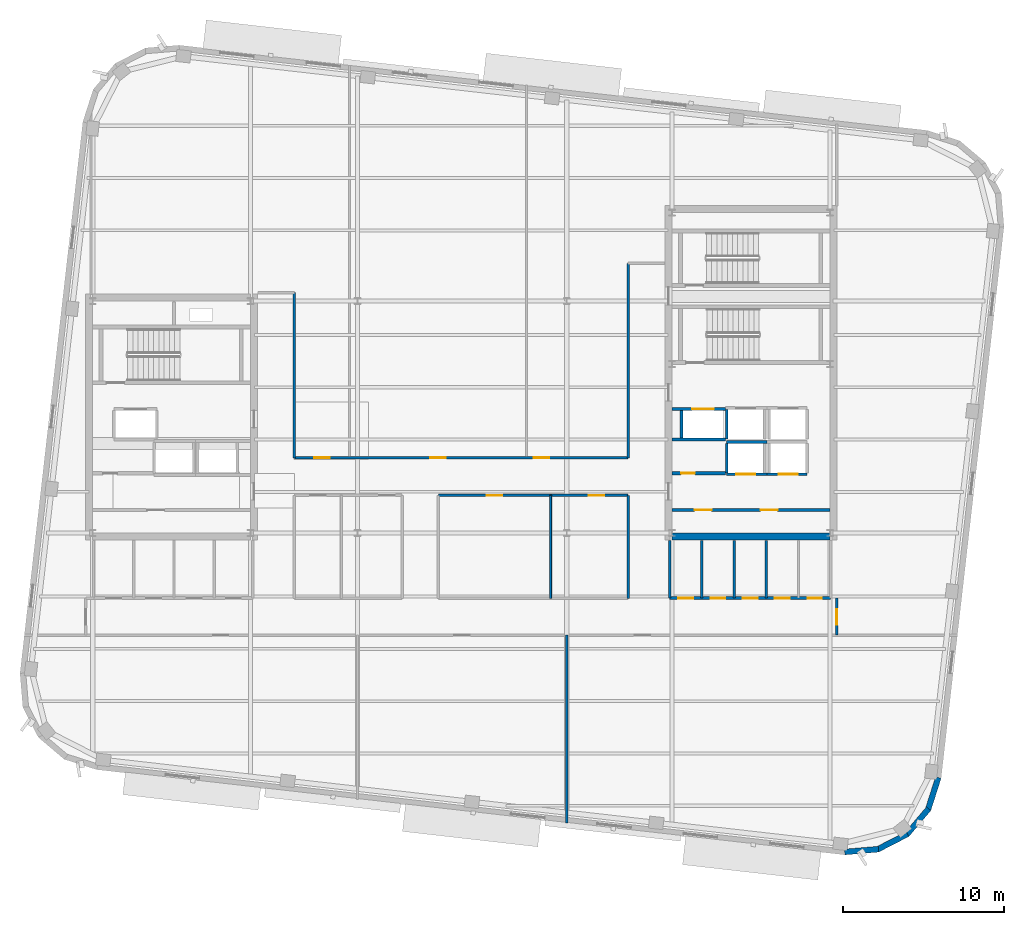
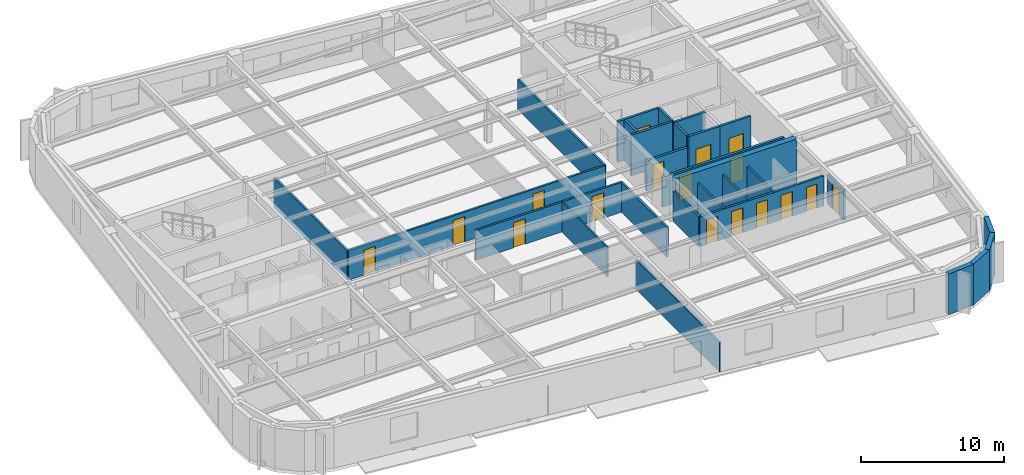
# One storey, part 7 of 14: 28 walls, 17 doors, 17 openings.
"""IFC4 building model written with IfcOpenShell, lengths in metres."""

from ifc_helpers import new_model, si_unit, direction, frame, frame_2d, origin, place, context, subcontext, project, spatial, rectangle, extrude, material, layer, layer_set, type_object, element, fill, save


model = new_model("IFC4")

# Units and contexts
model_context = context("Model", 3, precision=1e-05, world=origin(), true_north=direction((0.0, 1.0)))
body_context = subcontext(model_context, "Body", "Model", "MODEL_VIEW")
ifc_project = project(units=[si_unit("LENGTHUNIT", "METRE"), si_unit("AREAUNIT", "SQUARE_METRE"), si_unit("VOLUMEUNIT", "CUBIC_METRE"), si_unit("PLANEANGLEUNIT", "RADIAN"), si_unit("MASSUNIT", "GRAM", prefix="KILO")], contexts=[model_context])

# Site, building, storey
site_placement = place(None, origin())
site = spatial("IfcSite", under=ifc_project, at=site_placement, CompositionType="ELEMENT")
building_placement = place(site_placement, origin())
building = spatial("IfcBuilding", under=site, at=building_placement, Name="Kolvaren Arena Tower", CompositionType="ELEMENT")
storey_placement = place(building_placement, frame((0.0, 0.0, 258.449951171875)))
storey = spatial("IfcBuildingStorey", under=building, at=storey_placement, Name="L63", CompositionType="ELEMENT", Elevation=258.449951171875)

# Wall, openings, doors
ifc_material_1 = material(Name="Gypsum board acoustic assembly", Category="gypsum")
ifc_layer_1 = layer(ifc_material_1, 0.159912109375)
ifc_layer_set_1 = layer_set([ifc_layer_1], Name="Gypsum board acoustic assembly")
wall_type_1 = type_object("IfcWallType", Name="CORR-160", PredefinedType="PARTITIONING", material=ifc_layer_set_1)
wall_1_placement = place(storey_placement, frame((27.080078125, 24.1201171875, 0.0), z_axis=(0.0, 0.0, 1.0), x_axis=(1.0, 0.0, 0.0)))
wall_1 = element("IfcWall", 1, at=wall_1_placement, inside=storey, type_object=wall_type_1, Name="Interior Partition Wall (L63)", PredefinedType="PARTITIONING", context=body_context, shape_type="SweptSolid", body=[
    extrude(rectangle(XDim=20.739990234375, YDim=0.159912109375, at=frame_2d((10.3701171875, 0.0))), origin(), (0.0, 0.0, 1.0), 2.5400390625),
])
opening_1_placement = place(wall_1_placement, frame((1.2451171875, 0.0, 0.0)))
opening_1 = element("IfcOpeningElement", 2, at=opening_1_placement, cuts=wall_1, Name="Opening D05", PredefinedType="OPENING", context=body_context, shape_type="SweptSolid", body=[
    extrude(rectangle(XDim=0.949951171875, YDim=2.14990234375, at=frame_2d((0.47509765625, 1.074951171875))), frame((0.0, 0.08984375, 0.0), z_axis=(0.0, -1.0, 0.0), x_axis=(1.0, 0.0, 0.0)), (0.0, 0.0, 1.0), 0.179931640625),
])
opening_2_placement = place(wall_1_placement, frame((8.445068359375, 0.0, 0.0)))
opening_2 = element("IfcOpeningElement", 3, at=opening_2_placement, cuts=wall_1, Name="Opening D05", PredefinedType="OPENING", context=body_context, shape_type="SweptSolid", body=[
    extrude(rectangle(XDim=0.949951171875, YDim=2.14990234375, at=frame_2d((0.47509765625, 1.074951171875))), frame((0.0, 0.08984375, 0.0), z_axis=(0.0, -1.0, 0.0), x_axis=(1.0, 0.0, 0.0)), (0.0, 0.0, 1.0), 0.179931640625),
])
opening_3_placement = place(wall_1_placement, frame((14.8701171875, 0.0, 0.0)))
opening_3 = element("IfcOpeningElement", 4, at=opening_3_placement, cuts=wall_1, Name="Opening D05", PredefinedType="OPENING", context=body_context, shape_type="SweptSolid", body=[
    extrude(rectangle(XDim=0.949951171875, YDim=2.14990234375, at=frame_2d((0.47509765625, 1.074951171875))), frame((0.0, 0.08984375, 0.0), z_axis=(0.0, -1.0, 0.0), x_axis=(1.0, 0.0, 0.0)), (0.0, 0.0, 1.0), 0.179931640625),
])
ifc_material_2 = material(Name="Solid-core oak acoustic office door", Category="wood")
door_type_1 = type_object("IfcDoorType", Name="DOOR-OF-095", OperationType="NOTDEFINED", PredefinedType="DOOR", material=ifc_material_2)
door_1_placement = place(opening_1_placement, origin())
door_1 = element("IfcDoor", 5, at=door_1_placement, inside=storey, type_object=door_type_1, Name="Corporate Project Office Door (L63)", OperationType="SINGLE_SWING_RIGHT", OverallHeight=2.14990234375, OverallWidth=0.949951171875, PredefinedType="DOOR", context=body_context, shape_type="SweptSolid", body=[
    extrude(rectangle(XDim=0.949951171875, YDim=2.14990234375, at=frame_2d((0.47509765625, 1.074951171875))), frame((0.0, 0.02490234375, 0.0), z_axis=(0.0, -1.0, 0.0), x_axis=(1.0, 0.0, 0.0)), (0.0, 0.0, 1.0), 0.050048828125),
])
fill(opening_1, door_1)
door_2_placement = place(opening_2_placement, origin())
door_2 = element("IfcDoor", 6, at=door_2_placement, inside=storey, type_object=door_type_1, Name="Breakout Pantry and Kitchen Door (L63)", OperationType="SINGLE_SWING_LEFT", OverallHeight=2.14990234375, OverallWidth=0.949951171875, PredefinedType="DOOR", context=body_context, shape_type="SweptSolid", body=[
    extrude(rectangle(XDim=0.949951171875, YDim=2.14990234375, at=frame_2d((0.47509765625, 1.074951171875))), frame((0.0, 0.02490234375, 0.0), z_axis=(0.0, -1.0, 0.0), x_axis=(1.0, 0.0, 0.0)), (0.0, 0.0, 1.0), 0.050048828125),
])
fill(opening_2, door_2)
door_3_placement = place(opening_3_placement, origin())
door_3 = element("IfcDoor", 7, at=door_3_placement, inside=storey, type_object=door_type_1, Name="Design Studio Door (L63)", OperationType="SINGLE_SWING_RIGHT", OverallHeight=2.14990234375, OverallWidth=0.949951171875, PredefinedType="DOOR", context=body_context, shape_type="SweptSolid", body=[
    extrude(rectangle(XDim=0.949951171875, YDim=2.14990234375, at=frame_2d((0.47509765625, 1.074951171875))), frame((0.0, 0.02490234375, 0.0), z_axis=(0.0, -1.0, 0.0), x_axis=(1.0, 0.0, 0.0)), (0.0, 0.0, 1.0), 0.050048828125),
])
fill(opening_3, door_3)

# Wall
wall_2_placement = place(storey_placement, frame((27.080078125, 24.1201171875, 0.0), z_axis=(0.0, 0.0, 1.0), x_axis=(0.0, 1.0, 0.0)))
element("IfcWall", 8, at=wall_2_placement, inside=storey, type_object=wall_type_1, Name="Interior Partition Wall (L63)", PredefinedType="PARTITIONING", context=body_context, shape_type="SweptSolid", body=[
    extrude(rectangle(XDim=10.259765625, YDim=0.159912109375, at=frame_2d((5.1298828125, 0.0))), origin(), (0.0, 0.0, 1.0), 2.5400390625),
])

# Wall, openings, doors
wall_3_placement = place(storey_placement, frame((36.0400390625, 21.780029296875, 0.0), z_axis=(0.0, 0.0, 1.0), x_axis=(1.0, 0.0, 0.0)))
wall_3 = element("IfcWall", 9, at=wall_3_placement, inside=storey, type_object=wall_type_1, Name="Interior Partition Wall (L63)", PredefinedType="PARTITIONING", context=body_context, shape_type="SweptSolid", body=[
    extrude(rectangle(XDim=11.760009765625, YDim=0.159912109375, at=frame_2d((5.8798828125, 0.0))), origin(), (0.0, 0.0, 1.0), 2.5400390625),
])
opening_4_placement = place(wall_3_placement, frame((3.0048828125, 0.0, 0.0)))
opening_4 = element("IfcOpeningElement", 10, at=opening_4_placement, cuts=wall_3, Name="Opening D05", PredefinedType="OPENING", context=body_context, shape_type="SweptSolid", body=[
    extrude(rectangle(XDim=0.949951171875, YDim=2.14990234375, at=frame_2d((0.47509765625, 1.074951171875))), frame((0.0, 0.08984375, 0.0), z_axis=(0.0, -1.0, 0.0), x_axis=(1.0, 0.0, 0.0)), (0.0, 0.0, 1.0), 0.179931640625),
])
opening_5_placement = place(wall_3_placement, frame((9.3349609375, 0.0, 0.0)))
opening_5 = element("IfcOpeningElement", 11, at=opening_5_placement, cuts=wall_3, Name="Opening D05", PredefinedType="OPENING", context=body_context, shape_type="SweptSolid", body=[
    extrude(rectangle(XDim=0.949951171875, YDim=2.14990234375, at=frame_2d((0.47509765625, 1.074951171875))), frame((0.0, 0.08984375, 0.0), z_axis=(0.0, -1.0, 0.0), x_axis=(1.0, 0.0, 0.0)), (0.0, 0.0, 1.0), 0.179931640625),
])
door_4_placement = place(opening_4_placement, origin())
door_4 = element("IfcDoor", 12, at=door_4_placement, inside=storey, type_object=door_type_1, Name="Meeting Room Door (L63)", OperationType="SINGLE_SWING_LEFT", OverallHeight=2.14990234375, OverallWidth=0.949951171875, PredefinedType="DOOR", context=body_context, shape_type="SweptSolid", body=[
    extrude(rectangle(XDim=0.949951171875, YDim=2.14990234375, at=frame_2d((0.47509765625, 1.074951171875))), frame((0.0, 0.02490234375, 0.0), z_axis=(0.0, -1.0, 0.0), x_axis=(1.0, 0.0, 0.0)), (0.0, 0.0, 1.0), 0.050048828125),
])
fill(opening_4, door_4)
door_5_placement = place(opening_5_placement, origin())
door_5 = element("IfcDoor", 13, at=door_5_placement, inside=storey, type_object=door_type_1, Name="Boardroom Door (L63)", OperationType="SINGLE_SWING_RIGHT", OverallHeight=2.14990234375, OverallWidth=0.949951171875, PredefinedType="DOOR", context=body_context, shape_type="SweptSolid", body=[
    extrude(rectangle(XDim=0.949951171875, YDim=2.14990234375, at=frame_2d((0.47509765625, 1.074951171875))), frame((0.0, 0.02490234375, 0.0), z_axis=(0.0, -1.0, 0.0), x_axis=(1.0, 0.0, 0.0)), (0.0, 0.0, 1.0), 0.050048828125),
])
fill(opening_5, door_5)

# Walls
wall_4_placement = place(storey_placement, frame((47.820068359375, 15.3798828125, 0.0), z_axis=(0.0, 0.0, 1.0), x_axis=(0.0, 1.0, 0.0)))
element("IfcWall", 14, at=wall_4_placement, inside=storey, type_object=wall_type_1, Name="Interior Partition Wall (L63)", PredefinedType="PARTITIONING", context=body_context, shape_type="SweptSolid", body=[
    extrude(rectangle(XDim=6.400146484375, YDim=0.159912109375, at=frame_2d((3.2001953125, 0.0))), origin(), (0.0, 0.0, 1.0), 2.5400390625),
])
wall_5_placement = place(storey_placement, frame((47.820068359375, 24.1201171875, 0.0), z_axis=(0.0, 0.0, 1.0), x_axis=(0.0, 1.0, 0.0)))
element("IfcWall", 15, at=wall_5_placement, inside=storey, type_object=wall_type_1, Name="Interior Partition Wall (L63)", PredefinedType="PARTITIONING", context=body_context, shape_type="SweptSolid", body=[
    extrude(rectangle(XDim=12.079833984375, YDim=0.159912109375, at=frame_2d((6.0400390625, 0.0))), origin(), (0.0, 0.0, 1.0), 2.5400390625),
])

# Wall, opening, door
wall_6_placement = place(storey_placement, frame((60.780029296875, 13.10009765625, 0.0), z_axis=(0.0, 0.0, 1.0), x_axis=(0.0, 1.0, 0.0)))
wall_6 = element("IfcWall", 16, at=wall_6_placement, inside=storey, type_object=wall_type_1, Name="Interior Partition Wall (L63)", PredefinedType="PARTITIONING", context=body_context, shape_type="SweptSolid", body=[
    extrude(rectangle(XDim=2.2998046875, YDim=0.159912109375, at=frame_2d((1.14990234375, 0.0))), origin(), (0.0, 0.0, 1.0), 2.5400390625),
])
opening_6_placement = place(wall_6_placement, frame((0.64990234375, 0.0, 0.0)))
opening_6 = element("IfcOpeningElement", 17, at=opening_6_placement, cuts=wall_6, Name="Opening D05", PredefinedType="OPENING", context=body_context, shape_type="SweptSolid", body=[
    extrude(rectangle(XDim=0.949951171875, YDim=2.14990234375, at=frame_2d((0.47509765625, 1.074951171875))), frame((0.0, 0.08984375, 0.0), z_axis=(0.0, -1.0, 0.0), x_axis=(1.0, 0.0, 0.0)), (0.0, 0.0, 1.0), 0.179931640625),
])
door_6_placement = place(opening_6_placement, origin())
door_6 = element("IfcDoor", 18, at=door_6_placement, inside=storey, type_object=door_type_1, Name="East Wing Studio Door (L63)", OperationType="SINGLE_SWING_RIGHT", OverallHeight=2.14990234375, OverallWidth=0.949951171875, PredefinedType="DOOR", context=body_context, shape_type="SweptSolid", body=[
    extrude(rectangle(XDim=0.949951171875, YDim=2.14990234375, at=frame_2d((0.47509765625, 1.074951171875))), frame((0.0, 0.02490234375, 0.0), z_axis=(0.0, -1.0, 0.0), x_axis=(1.0, 0.0, 0.0)), (0.0, 0.0, 1.0), 0.050048828125),
])
fill(opening_6, door_6)

# Walls
ifc_material_3 = material(Name="Concrete 55 MPa", Category="concrete")
ifc_layer_2 = layer(ifc_material_3, 0.449951171875)
ifc_layer_set_2 = layer_set([ifc_layer_2], Name="Concrete 55 MPa")
wall_type_2 = type_object("IfcWallType", Name="CWALL-450", PredefinedType="SHEAR", material=ifc_layer_set_2)
wall_7_placement = place(storey_placement, frame((50.550048828125, 19.22509765625, -0.27001953125), z_axis=(0.0, 0.0, 1.0), x_axis=(1.0, 0.0, 0.0)))
element("IfcWall", 19, at=wall_7_placement, inside=storey, type_object=wall_type_2, Name="Core Shear Wall EC-SOUTH (L63)", PredefinedType="SHEAR", context=body_context, shape_type="SweptSolid", body=[
    extrude(rectangle(XDim=9.800048828125, YDim=0.449951171875, at=frame_2d((4.89990234375, 0.0))), origin(), (0.0, 0.0, 1.0), 3.75),
])
ifc_material_4 = material(Name="Precast concrete C50/60", Category="concrete")
ifc_layer_3 = layer(ifc_material_4, 0.360107421875)
ifc_layer_set_3 = layer_set([ifc_layer_3], Name="Precast concrete C50/60")
wall_type_3 = type_object("IfcWallType", Name="EXT-PIER2", PredefinedType="SOLIDWALL", material=ifc_layer_set_3)
wall_8_placement = place(storey_placement, frame((63.370361328125, -0.199462890625, 0.0), z_axis=(0.0, 0.0, 1.0), x_axis=(-0.996562518477, -0.082844111233, 0.0)))
element("IfcWall", 20, at=wall_8_placement, inside=storey, type_object=wall_type_3, Name="Exterior Precast Masonry-Frame Wall (L63)", PredefinedType="SOLIDWALL", context=body_context, shape_type="SweptSolid", body=[
    extrude(rectangle(XDim=2.107177734375, YDim=0.360107421875, at=frame_2d((1.0537109375, 0.0))), origin(), (0.0, 0.0, 1.0), 3.47998046875),
])
for number, where, z_axis, x_axis, name in (
    (21, (65.176025390625, 0.745849609375, 0.0), (0.0, 0.0, 1.0), (-0.888985992199, -0.457934390142, 0.0), "Exterior Precast Masonry-Frame Wall (L63)"),
    (22, (66.482421875, 2.310302734375, 0.0), (0.0, 0.0, 1.0), (-0.646103249464, -0.763250018691, 0.0), "Exterior Precast Masonry-Frame Wall (L63)"),
):
    element("IfcWall", number, at=place(storey_placement, frame(where, z_axis=z_axis, x_axis=x_axis)), inside=storey, type_object=wall_type_3, Name=name, PredefinedType="SOLIDWALL", context=body_context, shape_type="SweptSolid", body=[
        extrude(rectangle(XDim=2.10693359375, YDim=0.360107421875, at=frame_2d((1.053466796875, 0.0))), origin(), (0.0, 0.0, 1.0), 3.47998046875),
    ])
wall_9_placement = place(storey_placement, frame((67.0908203125, 4.255615234375, 0.0), z_axis=(0.0, 0.0, 1.0), x_axis=(-0.304838787518, -0.952403965565, 0.0)))
element("IfcWall", 23, at=wall_9_placement, inside=storey, type_object=wall_type_3, Name="Exterior Precast Masonry-Frame Wall (L63)", PredefinedType="SOLIDWALL", context=body_context, shape_type="SweptSolid", body=[
    extrude(rectangle(XDim=2.107177734375, YDim=0.360107421875, at=frame_2d((1.0537109375, 0.0))), origin(), (0.0, 0.0, 1.0), 3.47998046875),
])

# Wall, openings, doors
ifc_material_5 = material(Name="Concrete 40 MPa", Category="concrete")
ifc_layer_4 = layer(ifc_material_5, 0.199951171875)
ifc_layer_set_4 = layer_set([ifc_layer_4], Name="Concrete 40 MPa")
wall_type_4 = type_object("IfcWallType", Name="LOBBY-200", PredefinedType="SOLIDWALL", material=ifc_layer_set_4)
wall_10_placement = place(storey_placement, frame((50.550048828125, 20.8798828125, 0.0), z_axis=(0.0, 0.0, 1.0), x_axis=(1.0, 0.0, 0.0)))
wall_10 = element("IfcWall", 24, at=wall_10_placement, inside=storey, type_object=wall_type_4, Name="Core Shaft Wall (L63)", PredefinedType="SOLIDWALL", context=body_context, shape_type="SweptSolid", body=[
    extrude(rectangle(XDim=9.800048828125, YDim=0.199951171875, at=frame_2d((4.89990234375, 0.0))), origin(), (0.0, 0.0, 1.0), 2.5400390625),
])
opening_7_placement = place(wall_10_placement, frame((1.39990234375, 0.0, 0.0)))
opening_7 = element("IfcOpeningElement", 25, at=opening_7_placement, cuts=wall_10, Name="Opening D04", PredefinedType="OPENING", context=body_context, shape_type="SweptSolid", body=[
    extrude(rectangle(XDim=1.050048828125, YDim=2.14990234375, at=frame_2d((0.52490234375, 1.074951171875))), frame((0.0, 0.10986328125, 0.0), z_axis=(0.0, -1.0, 0.0), x_axis=(1.0, 0.0, 0.0)), (0.0, 0.0, 1.0), 0.219970703125),
])
opening_8_placement = place(wall_10_placement, frame((5.5, 0.0, 0.0)))
opening_8 = element("IfcOpeningElement", 26, at=opening_8_placement, cuts=wall_10, Name="Opening D04", PredefinedType="OPENING", context=body_context, shape_type="SweptSolid", body=[
    extrude(rectangle(XDim=1.050048828125, YDim=2.14990234375, at=frame_2d((0.52490234375, 1.074951171875))), frame((0.0, 0.10986328125, 0.0), z_axis=(0.0, -1.0, 0.0), x_axis=(1.0, 0.0, 0.0)), (0.0, 0.0, 1.0), 0.219970703125),
])
ifc_material_6 = material(Name="Fire-rated steel lobby door", Category="steel")
door_type_2 = type_object("IfcDoorType", Name="DOOR-FF-105", OperationType="NOTDEFINED", PredefinedType="DOOR", material=ifc_material_6)
door_7_placement = place(opening_7_placement, origin())
door_7 = element("IfcDoor", 27, at=door_7_placement, inside=storey, type_object=door_type_2, Name="East Telecom Room Fire Door (L63)", OperationType="SINGLE_SWING_RIGHT", OverallHeight=2.14990234375, OverallWidth=1.050048828125, PredefinedType="DOOR", context=body_context, shape_type="SweptSolid", body=[
    extrude(rectangle(XDim=1.050048828125, YDim=2.14990234375, at=frame_2d((0.52490234375, 1.074951171875))), frame((0.0, 0.02490234375, 0.0), z_axis=(0.0, -1.0, 0.0), x_axis=(1.0, 0.0, 0.0)), (0.0, 0.0, 1.0), 0.050048828125),
])
fill(opening_7, door_7)
door_8_placement = place(opening_8_placement, origin())
door_8 = element("IfcDoor", 28, at=door_8_placement, inside=storey, type_object=door_type_2, Name="East Records Room Fire Door (L63)", OperationType="SINGLE_SWING_LEFT", OverallHeight=2.14990234375, OverallWidth=1.050048828125, PredefinedType="DOOR", context=body_context, shape_type="SweptSolid", body=[
    extrude(rectangle(XDim=1.050048828125, YDim=2.14990234375, at=frame_2d((0.52490234375, 1.074951171875))), frame((0.0, 0.02490234375, 0.0), z_axis=(0.0, -1.0, 0.0), x_axis=(1.0, 0.0, 0.0)), (0.0, 0.0, 1.0), 0.050048828125),
])
fill(opening_8, door_8)

# Wall, opening, door
wall_11_placement = place(storey_placement, frame((50.550048828125, 23.159912109375, 0.0), z_axis=(0.0, 0.0, 1.0), x_axis=(1.0, 0.0, 0.0)))
wall_11 = element("IfcWall", 29, at=wall_11_placement, inside=storey, type_object=wall_type_4, Name="Core Shaft Wall (L63)", PredefinedType="SOLIDWALL", context=body_context, shape_type="SweptSolid", body=[
    extrude(rectangle(XDim=3.329833984375, YDim=0.199951171875, at=frame_2d((1.6650390625, 0.0))), origin(), (0.0, 0.0, 1.0), 2.5400390625),
])
opening_9_placement = place(wall_11_placement, frame((0.550048828125, 0.0, 0.0)))
opening_9 = element("IfcOpeningElement", 30, at=opening_9_placement, cuts=wall_11, Name="Opening D09", PredefinedType="OPENING", context=body_context, shape_type="SweptSolid", body=[
    extrude(rectangle(XDim=0.860107421875, YDim=2.050048828125, at=frame_2d((0.43017578125, 1.02490234375))), frame((0.0, 0.10986328125, 0.0), z_axis=(0.0, -1.0, 0.0), x_axis=(1.0, 0.0, 0.0)), (0.0, 0.0, 1.0), 0.219970703125),
])
ifc_material_7 = material(Name="Fire-rated steel riser access door", Category="steel")
door_type_3 = type_object("IfcDoorType", Name="DOOR-RS-086", OperationType="NOTDEFINED", PredefinedType="DOOR", material=ifc_material_7)
door_9_placement = place(opening_9_placement, origin())
door_9 = element("IfcDoor", 31, at=door_9_placement, inside=storey, type_object=door_type_3, Name="East AV Riser Closet Door (L63)", OperationType="SINGLE_SWING_LEFT", OverallHeight=2.050048828125, OverallWidth=0.860107421875, PredefinedType="DOOR", context=body_context, shape_type="SweptSolid", body=[
    extrude(rectangle(XDim=0.860107421875, YDim=2.050048828125, at=frame_2d((0.43017578125, 1.02490234375))), frame((0.0, 0.02490234375, 0.0), z_axis=(0.0, -1.0, 0.0), x_axis=(1.0, 0.0, 0.0)), (0.0, 0.0, 1.0), 0.050048828125),
])
fill(opening_9, door_9)

# Walls
ifc_material_8 = material(Name="Gypsum board partition assembly", Category="gypsum")
ifc_layer_5 = layer(ifc_material_8, 0.114990234375)
ifc_layer_set_5 = layer_set([ifc_layer_5], Name="Gypsum board partition assembly")
wall_type_5 = type_object("IfcWallType", Name="PART-115", PredefinedType="PARTITIONING", material=ifc_layer_set_5)
wall_12_placement = place(storey_placement, frame((43.0, 15.3798828125, 0.0), z_axis=(0.0, 0.0, 1.0), x_axis=(0.0, 1.0, 0.0)))
element("IfcWall", 32, at=wall_12_placement, inside=storey, type_object=wall_type_5, Name="Interior Partition Wall (L63)", PredefinedType="PARTITIONING", context=body_context, shape_type="SweptSolid", body=[
    extrude(rectangle(XDim=6.400146484375, YDim=0.114990234375, at=frame_2d((3.2001953125, 0.0))), origin(), (0.0, 0.0, 1.0), 2.5400390625),
])
ifc_layer_6 = layer(ifc_material_8, 0.135009765625)
ifc_layer_set_6 = layer_set([ifc_layer_6], Name="Gypsum board partition assembly")
wall_type_6 = type_object("IfcWallType", Name="PART-135", PredefinedType="PARTITIONING", material=ifc_layer_set_6)
wall_13_placement = place(storey_placement, frame((44.0, 1.416015625, 0.0), z_axis=(0.0, 0.0, 1.0), x_axis=(0.0, 1.0, 0.0)))
element("IfcWall", 33, at=wall_13_placement, inside=storey, type_object=wall_type_6, Name="Interior Partition Wall (L63)", PredefinedType="PARTITIONING", context=body_context, shape_type="SweptSolid", body=[
    extrude(rectangle(XDim=11.68408203125, YDim=0.135009765625, at=frame_2d((5.842041015625, 0.0))), origin(), (0.0, 0.0, 1.0), 2.5400390625),
])
ifc_material_9 = material(Name="Concrete 45 MPa", Category="concrete")
ifc_layer_7 = layer(ifc_material_9, 0.25)
ifc_layer_set_7 = layer_set([ifc_layer_7], Name="Concrete 45 MPa")
wall_type_7 = type_object("IfcWallType", Name="SHAFT-250", PredefinedType="SOLIDWALL", material=ifc_layer_set_7)
wall_14_placement = place(storey_placement, frame((53.93994140625, 25.10498046875, 0.0), z_axis=(0.0, 0.0, 1.0), x_axis=(1.0, 0.0, 0.0)))
element("IfcWall", 34, at=wall_14_placement, inside=storey, type_object=wall_type_7, Name="Core Shaft Wall (L63)", PredefinedType="SOLIDWALL", context=body_context, shape_type="SweptSolid", body=[
    extrude(rectangle(XDim=2.5, YDim=0.179931640625, at=frame_2d((1.25, 0.0))), origin(), (0.0, 0.0, 1.0), 3.47998046875),
])

# Wall, opening, door
wall_15_placement = place(storey_placement, frame((53.93994140625, 23.094970703125, 0.0), z_axis=(0.0, 0.0, 1.0), x_axis=(1.0, 0.0, 0.0)))
wall_15 = element("IfcWall", 35, at=wall_15_placement, inside=storey, type_object=wall_type_7, Name="Core Shaft Wall (L63)", PredefinedType="SOLIDWALL", context=body_context, shape_type="SweptSolid", body=[
    extrude(rectangle(XDim=2.5, YDim=0.179931640625, at=frame_2d((1.25, 0.0))), origin(), (0.0, 0.0, 1.0), 3.47998046875),
])
opening_10_placement = place(wall_15_placement, frame((0.580078125, 0.0, 0.0)))
opening_10 = element("IfcOpeningElement", 36, at=opening_10_placement, cuts=wall_15, Name="Opening LD1", PredefinedType="OPENING", context=body_context, shape_type="SweptSolid", body=[
    extrude(rectangle(XDim=1.199951171875, YDim=2.199951171875, at=frame_2d((0.60009765625, 1.10009765625))), frame((0.0, 0.099853515625, 0.0), z_axis=(0.0, -1.0, 0.0), x_axis=(1.0, 0.0, 0.0)), (0.0, 0.0, 1.0), 0.199951171875),
])
ifc_material_10 = material(Name="Stainless steel passenger lift landing door", Category="steel")
door_type_4 = type_object("IfcDoorType", Name="DOOR-LD-120", OperationType="DOUBLE_DOOR_SLIDING", PredefinedType="DOOR", material=ifc_material_10)
door_10_placement = place(opening_10_placement, origin())
door_10 = element("IfcDoor", 37, at=door_10_placement, inside=storey, type_object=door_type_4, Name="Lift EL-HR1 Landing Door (L63)", OperationType="DOUBLE_DOOR_SLIDING", OverallHeight=2.199951171875, OverallWidth=1.199951171875, PredefinedType="DOOR", context=body_context, shape_type="SweptSolid", body=[
    extrude(rectangle(XDim=1.199951171875, YDim=2.199951171875, at=frame_2d((0.60009765625, 1.10009765625))), frame((0.0, 0.02490234375, 0.0), z_axis=(0.0, -1.0, 0.0), x_axis=(1.0, 0.0, 0.0)), (0.0, 0.0, 1.0), 0.050048828125),
])
fill(opening_10, door_10)

# Wall
wall_16_placement = place(storey_placement, frame((53.93994140625, 23.18505859375, 0.0), z_axis=(0.0, 0.0, 1.0), x_axis=(0.0, 1.0, 0.0)))
element("IfcWall", 38, at=wall_16_placement, inside=storey, type_object=wall_type_7, Name="Core Shaft Wall (L63)", PredefinedType="SOLIDWALL", context=body_context, shape_type="SweptSolid", body=[
    extrude(rectangle(XDim=1.829833984375, YDim=0.179931640625, at=frame_2d((0.9150390625, 0.0))), origin(), (0.0, 0.0, 1.0), 3.47998046875),
])

# Wall, opening, door
wall_17_placement = place(storey_placement, frame((56.43994140625, 23.094970703125, 0.0), z_axis=(0.0, 0.0, 1.0), x_axis=(1.0, 0.0, 0.0)))
wall_17 = element("IfcWall", 39, at=wall_17_placement, inside=storey, type_object=wall_type_7, Name="Core Shaft Wall (L63)", PredefinedType="SOLIDWALL", context=body_context, shape_type="SweptSolid", body=[
    extrude(rectangle(XDim=2.5, YDim=0.179931640625, at=frame_2d((1.25, 0.0))), origin(), (0.0, 0.0, 1.0), 3.47998046875),
])
opening_11_placement = place(wall_17_placement, frame((0.719970703125, 0.0, 0.0)))
opening_11 = element("IfcOpeningElement", 40, at=opening_11_placement, cuts=wall_17, Name="Opening LD1", PredefinedType="OPENING", context=body_context, shape_type="SweptSolid", body=[
    extrude(rectangle(XDim=1.199951171875, YDim=2.199951171875, at=frame_2d((0.60009765625, 1.10009765625))), frame((0.0, 0.099853515625, 0.0), z_axis=(0.0, -1.0, 0.0), x_axis=(1.0, 0.0, 0.0)), (0.0, 0.0, 1.0), 0.199951171875),
])
door_11_placement = place(opening_11_placement, origin())
door_11 = element("IfcDoor", 41, at=door_11_placement, inside=storey, type_object=door_type_4, Name="Lift EL-HR2 Landing Door (L63)", OperationType="DOUBLE_DOOR_SLIDING", OverallHeight=2.199951171875, OverallWidth=1.199951171875, PredefinedType="DOOR", context=body_context, shape_type="SweptSolid", body=[
    extrude(rectangle(XDim=1.199951171875, YDim=2.199951171875, at=frame_2d((0.60009765625, 1.10009765625))), frame((0.0, 0.02490234375, 0.0), z_axis=(0.0, -1.0, 0.0), x_axis=(1.0, 0.0, 0.0)), (0.0, 0.0, 1.0), 0.050048828125),
])
fill(opening_11, door_11)

# Wall
wall_18_placement = place(storey_placement, frame((53.93994140625, 25.284912109375, 0.0), z_axis=(0.0, 0.0, 1.0), x_axis=(0.0, 1.0, 0.0)))
element("IfcWall", 42, at=wall_18_placement, inside=storey, type_object=wall_type_7, Name="Core Shaft Wall (L63)", PredefinedType="SOLIDWALL", context=body_context, shape_type="SweptSolid", body=[
    extrude(rectangle(XDim=1.830078125, YDim=0.179931640625, at=frame_2d((0.9150390625, 0.0))), origin(), (0.0, 0.0, 1.0), 3.47998046875),
])

# Wall, opening, door
wall_19_placement = place(storey_placement, frame((50.550048828125, 27.155029296875, 0.0), z_axis=(0.0, 0.0, 1.0), x_axis=(1.0, 0.0, 0.0)))
wall_19 = element("IfcWall", 43, at=wall_19_placement, inside=storey, type_object=wall_type_7, Name="Core Shaft Wall (L63)", PredefinedType="SOLIDWALL", context=body_context, shape_type="SweptSolid", body=[
    extrude(rectangle(XDim=3.31494140625, YDim=0.179931640625, at=frame_2d((1.657470703125, 0.0))), origin(), (0.0, 0.0, 1.0), 3.47998046875),
])
opening_12_placement = place(wall_19_placement, frame((1.235107421875, 0.0, 0.0)))
opening_12 = element("IfcOpeningElement", 44, at=opening_12_placement, cuts=wall_19, Name="Opening LD2", PredefinedType="OPENING", context=body_context, shape_type="SweptSolid", body=[
    extrude(rectangle(XDim=1.35009765625, YDim=2.300048828125, at=frame_2d((0.675048828125, 1.14990234375))), frame((0.0, 0.099853515625, 0.0), z_axis=(0.0, -1.0, 0.0), x_axis=(1.0, 0.0, 0.0)), (0.0, 0.0, 1.0), 0.199951171875),
])
ifc_material_11 = material(Name="Stainless steel firefighter lift landing door", Category="steel")
door_type_5 = type_object("IfcDoorType", Name="DOOR-LD-135", OperationType="DOUBLE_DOOR_SLIDING", PredefinedType="DOOR", material=ifc_material_11)
door_12_placement = place(opening_12_placement, origin())
door_12 = element("IfcDoor", 45, at=door_12_placement, inside=storey, type_object=door_type_5, Name="Firefighter Lift FF-E1 Landing Door (L63)", OperationType="DOUBLE_DOOR_SLIDING", OverallHeight=2.300048828125, OverallWidth=1.35009765625, PredefinedType="DOOR", context=body_context, shape_type="SweptSolid", body=[
    extrude(rectangle(XDim=1.35009765625, YDim=2.300048828125, at=frame_2d((0.675048828125, 1.14990234375))), frame((0.0, 0.02490234375, 0.0), z_axis=(0.0, -1.0, 0.0), x_axis=(1.0, 0.0, 0.0)), (0.0, 0.0, 1.0), 0.050048828125),
])
fill(opening_12, door_12)

# Walls
wall_20_placement = place(storey_placement, frame((50.550048828125, 25.2451171875, 0.0), z_axis=(0.0, 0.0, 1.0), x_axis=(1.0, 0.0, 0.0)))
element("IfcWall", 46, at=wall_20_placement, inside=storey, type_object=wall_type_7, Name="Core Shaft Wall (L63)", PredefinedType="SOLIDWALL", context=body_context, shape_type="SweptSolid", body=[
    extrude(rectangle(XDim=3.31494140625, YDim=0.179931640625, at=frame_2d((1.657470703125, 0.0))), origin(), (0.0, 0.0, 1.0), 3.47998046875),
])
wall_21_placement = place(storey_placement, frame((51.1298828125, 25.3349609375, 0.0), z_axis=(0.0, 0.0, 1.0), x_axis=(0.0, 1.0, 0.0)))
element("IfcWall", 47, at=wall_21_placement, inside=storey, type_object=wall_type_7, Name="Core Shaft Wall (L63)", PredefinedType="SOLIDWALL", context=body_context, shape_type="SweptSolid", body=[
    extrude(rectangle(XDim=1.72998046875, YDim=0.179931640625, at=frame_2d((0.864990234375, 0.0))), origin(), (0.0, 0.0, 1.0), 3.47998046875),
])

# Wall, openings, doors
wall_22_placement = place(storey_placement, frame((50.39990234375, 15.39990234375, 0.0), z_axis=(0.0, 0.0, 1.0), x_axis=(1.0, 0.0, 0.0)))
wall_22 = element("IfcWall", 48, at=wall_22_placement, inside=storey, type_object=wall_type_7, Name="Interior Partition Wall (L63)", PredefinedType="SOLIDWALL", context=body_context, shape_type="SweptSolid", body=[
    extrude(rectangle(XDim=10.0, YDim=0.179931640625, at=frame_2d((5.0, 0.0))), origin(), (0.0, 0.0, 1.0), 2.5400390625),
])
opening_13_placement = place(wall_22_placement, frame((0.5400390625, 0.0, 0.0)))
opening_13 = element("IfcOpeningElement", 49, at=opening_13_placement, cuts=wall_22, Name="Opening D07", PredefinedType="OPENING", context=body_context, shape_type="SweptSolid", body=[
    extrude(rectangle(XDim=0.919921875, YDim=2.10009765625, at=frame_2d((0.4599609375, 1.050048828125))), frame((0.0, 0.099853515625, 0.0), z_axis=(0.0, -1.0, 0.0), x_axis=(1.0, 0.0, 0.0)), (0.0, 0.0, 1.0), 0.199951171875),
])
opening_14_placement = place(wall_22_placement, frame((2.5400390625, 0.0, 0.0)))
opening_14 = element("IfcOpeningElement", 50, at=opening_14_placement, cuts=wall_22, Name="Opening D07", PredefinedType="OPENING", context=body_context, shape_type="SweptSolid", body=[
    extrude(rectangle(XDim=0.919921875, YDim=2.10009765625, at=frame_2d((0.4599609375, 1.050048828125))), frame((0.0, 0.099853515625, 0.0), z_axis=(0.0, -1.0, 0.0), x_axis=(1.0, 0.0, 0.0)), (0.0, 0.0, 1.0), 0.199951171875),
])
opening_15_placement = place(wall_22_placement, frame((4.5400390625, 0.0, 0.0)))
opening_15 = element("IfcOpeningElement", 51, at=opening_15_placement, cuts=wall_22, Name="Opening D07", PredefinedType="OPENING", context=body_context, shape_type="SweptSolid", body=[
    extrude(rectangle(XDim=0.919921875, YDim=2.10009765625, at=frame_2d((0.4599609375, 1.050048828125))), frame((0.0, 0.099853515625, 0.0), z_axis=(0.0, -1.0, 0.0), x_axis=(1.0, 0.0, 0.0)), (0.0, 0.0, 1.0), 0.199951171875),
])
opening_16_placement = place(wall_22_placement, frame((6.5400390625, 0.0, 0.0)))
opening_16 = element("IfcOpeningElement", 52, at=opening_16_placement, cuts=wall_22, Name="Opening D07", PredefinedType="OPENING", context=body_context, shape_type="SweptSolid", body=[
    extrude(rectangle(XDim=0.919921875, YDim=2.10009765625, at=frame_2d((0.4599609375, 1.050048828125))), frame((0.0, 0.099853515625, 0.0), z_axis=(0.0, -1.0, 0.0), x_axis=(1.0, 0.0, 0.0)), (0.0, 0.0, 1.0), 0.199951171875),
])
opening_17_placement = place(wall_22_placement, frame((8.570068359375, 0.0, 0.0)))
opening_17 = element("IfcOpeningElement", 53, at=opening_17_placement, cuts=wall_22, Name="Opening D09", PredefinedType="OPENING", context=body_context, shape_type="SweptSolid", body=[
    extrude(rectangle(XDim=0.860107421875, YDim=2.050048828125, at=frame_2d((0.43017578125, 1.02490234375))), frame((0.0, 0.099853515625, 0.0), z_axis=(0.0, -1.0, 0.0), x_axis=(1.0, 0.0, 0.0)), (0.0, 0.0, 1.0), 0.199951171875),
])
door_13_placement = place(opening_17_placement, origin())
door_13 = element("IfcDoor", 54, at=door_13_placement, inside=storey, type_object=door_type_3, Name="Telecom Riser Closet Door (L63)", OperationType="SINGLE_SWING_LEFT", OverallHeight=2.050048828125, OverallWidth=0.860107421875, PredefinedType="DOOR", context=body_context, shape_type="SweptSolid", body=[
    extrude(rectangle(XDim=0.860107421875, YDim=2.050048828125, at=frame_2d((0.43017578125, 1.02490234375))), frame((0.0, 0.02490234375, 0.0), z_axis=(0.0, -1.0, 0.0), x_axis=(1.0, 0.0, 0.0)), (0.0, 0.0, 1.0), 0.050048828125),
])
fill(opening_17, door_13)
ifc_material_12 = material(Name="Laminate universal washroom door", Category="wood")
door_type_6 = type_object("IfcDoorType", Name="DOOR-WC-092", OperationType="NOTDEFINED", PredefinedType="DOOR", material=ifc_material_12)
door_14_placement = place(opening_13_placement, origin())
door_14 = element("IfcDoor", 55, at=door_14_placement, inside=storey, type_object=door_type_6, Name="First Aid Store Door (L63)", OperationType="SINGLE_SWING_LEFT", OverallHeight=2.10009765625, OverallWidth=0.919921875, PredefinedType="DOOR", context=body_context, shape_type="SweptSolid", body=[
    extrude(rectangle(XDim=0.919921875, YDim=2.10009765625, at=frame_2d((0.4599609375, 1.050048828125))), frame((0.0, 0.02490234375, 0.0), z_axis=(0.0, -1.0, 0.0), x_axis=(1.0, 0.0, 0.0)), (0.0, 0.0, 1.0), 0.050048828125),
])
fill(opening_13, door_14)
door_15_placement = place(opening_14_placement, origin())
door_15 = element("IfcDoor", 56, at=door_15_placement, inside=storey, type_object=door_type_6, Name="Cleaner and Janitor Store Door (L63)", OperationType="SINGLE_SWING_RIGHT", OverallHeight=2.10009765625, OverallWidth=0.919921875, PredefinedType="DOOR", context=body_context, shape_type="SweptSolid", body=[
    extrude(rectangle(XDim=0.919921875, YDim=2.10009765625, at=frame_2d((0.4599609375, 1.050048828125))), frame((0.0, 0.02490234375, 0.0), z_axis=(0.0, -1.0, 0.0), x_axis=(1.0, 0.0, 0.0)), (0.0, 0.0, 1.0), 0.050048828125),
])
fill(opening_14, door_15)
door_16_placement = place(opening_15_placement, origin())
door_16 = element("IfcDoor", 57, at=door_16_placement, inside=storey, type_object=door_type_6, Name="Staff Pantry Door (L63)", OperationType="SINGLE_SWING_LEFT", OverallHeight=2.10009765625, OverallWidth=0.919921875, PredefinedType="DOOR", context=body_context, shape_type="SweptSolid", body=[
    extrude(rectangle(XDim=0.919921875, YDim=2.10009765625, at=frame_2d((0.4599609375, 1.050048828125))), frame((0.0, 0.02490234375, 0.0), z_axis=(0.0, -1.0, 0.0), x_axis=(1.0, 0.0, 0.0)), (0.0, 0.0, 1.0), 0.050048828125),
])
fill(opening_15, door_16)
door_17_placement = place(opening_16_placement, origin())
door_17 = element("IfcDoor", 58, at=door_17_placement, inside=storey, type_object=door_type_6, Name="Gender-Neutral Washroom Door (L63)", OperationType="SINGLE_SWING_RIGHT", OverallHeight=2.10009765625, OverallWidth=0.919921875, PredefinedType="DOOR", context=body_context, shape_type="SweptSolid", body=[
    extrude(rectangle(XDim=0.919921875, YDim=2.10009765625, at=frame_2d((0.4599609375, 1.050048828125))), frame((0.0, 0.02490234375, 0.0), z_axis=(0.0, -1.0, 0.0), x_axis=(1.0, 0.0, 0.0)), (0.0, 0.0, 1.0), 0.050048828125),
])
fill(opening_16, door_17)

# Walls
ifc_material_13 = material(Name="Moisture-resistant gypsum assembly", Category="gypsum")
ifc_layer_8 = layer(ifc_material_13, 0.14990234375)
ifc_layer_set_8 = layer_set([ifc_layer_8], Name="Moisture-resistant gypsum assembly")
wall_type_8 = type_object("IfcWallType", Name="WETW-150", PredefinedType="PARTITIONING", material=ifc_layer_set_8)
for number, where, z_axis, x_axis, name in (
    (59, (52.39990234375, 15.39990234375, 0.0), (0.0, 0.0, 1.0), (0.0, 1.0, 0.0), "Interior Partition Wall (L63)"),
    (60, (54.39990234375, 15.39990234375, 0.0), (0.0, 0.0, 1.0), (0.0, 1.0, 0.0), "Interior Partition Wall (L63)"),
    (61, (56.39990234375, 15.39990234375, 0.0), (0.0, 0.0, 1.0), (0.0, 1.0, 0.0), "Interior Partition Wall (L63)"),
    (62, (50.39990234375, 15.39990234375, 0.0), (0.0, 0.0, 1.0), (0.0, 1.0, 0.0), "Interior Partition Wall (L63)"),
):
    element("IfcWall", number, at=place(storey_placement, frame(where, z_axis=z_axis, x_axis=x_axis)), inside=storey, type_object=wall_type_8, Name=name, PredefinedType="PARTITIONING", context=body_context, shape_type="SweptSolid", body=[
        extrude(rectangle(XDim=3.580078125, YDim=0.14990234375, at=frame_2d((1.7900390625, 0.0))), origin(), (0.0, 0.0, 1.0), 2.5400390625),
    ])

save(model, "model.ifc")
